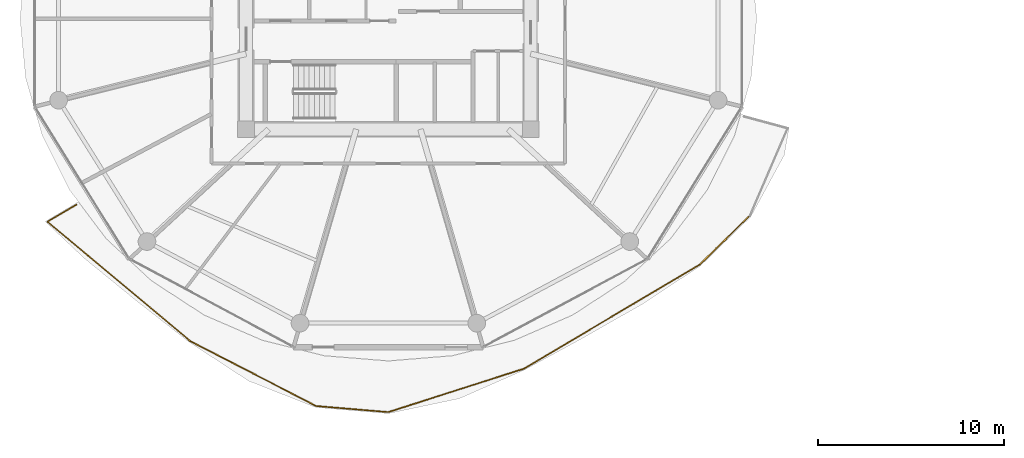
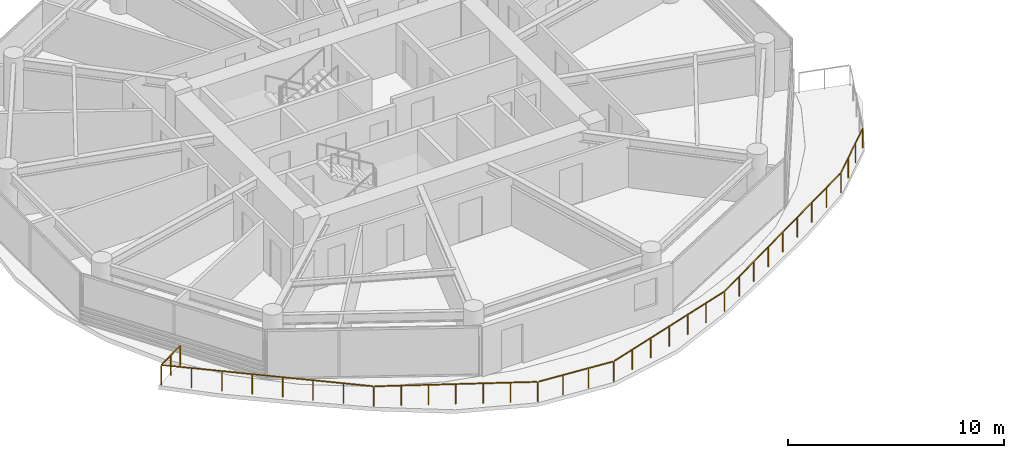
# One storey, part 22 of 26: 1 railing.
"""IFC4 building model written with IfcOpenShell, lengths in metres."""

from ifc_helpers import new_model, si_unit, direction, frame, origin, origin_2d, place, context, subcontext, project, spatial, rectangle, extrude, material, type_object, element, save


model = new_model("IFC4")

# Units and contexts
model_context = context("Model", 3, precision=1e-05, world=origin(), true_north=direction((0.0, 1.0)))
body_context = subcontext(model_context, "Body", "Model", "MODEL_VIEW")
ifc_project = project(units=[si_unit("LENGTHUNIT", "METRE"), si_unit("AREAUNIT", "SQUARE_METRE"), si_unit("VOLUMEUNIT", "CUBIC_METRE"), si_unit("PLANEANGLEUNIT", "RADIAN"), si_unit("MASSUNIT", "GRAM", prefix="KILO")], contexts=[model_context])

# Site, building, storey
site_placement = place(None, origin())
site = spatial("IfcSite", under=ifc_project, at=site_placement, CompositionType="ELEMENT")
building_placement = place(site_placement, origin())
building = spatial("IfcBuilding", under=site, at=building_placement, Name="Norrkilde Senior Care Towers", CompositionType="ELEMENT")
storey_placement = place(building_placement, frame((0.0, 0.0, 49.050048828125)))
storey = spatial("IfcBuildingStorey", under=building, at=storey_placement, Name="L14", CompositionType="ELEMENT", Elevation=49.050048828125)

# Railing
ifc_material = material(Name="Anodised Aluminium", Category="aluminium")
railing_type = type_object("IfcRailingType", Name="Balcony Swirl Ribbon Guardrail 1150", PredefinedType="GUARDRAIL", material=ifc_material)
railing_placement = place(storey_placement, frame((-8.57958984375, -10.603515625, 0.0)))
element("IfcRailing", 1, at=railing_placement, inside=storey, type_object=railing_type, Name="L14 Perimeter Safety Guard 03", PredefinedType="GUARDRAIL", context=body_context, shape_type="SweptSolid", body=[
    extrude(rectangle(XDim=0.048095703125, YDim=0.048095703125, at=origin_2d()), frame((0.0, 0.0, 1.1259765625), z_axis=(-0.715609042797, -0.698501036411, 0.0), x_axis=(0.698501036411, -0.715609042797, 0.0)), (0.0, 0.0, 1.0), 3.712158203125),
    extrude(rectangle(XDim=0.048095703125, YDim=0.048095703125, at=origin_2d()), frame((-2.720947265625, -2.642333984375, 1.1259765625), z_axis=(-0.860596358768, -0.50928764689, 0.0), x_axis=(0.50928764689, -0.860596358768, 0.0)), (0.0, 0.0, 1.0), 10.906005859375),
    extrude(rectangle(XDim=0.048095703125, YDim=0.048095703125, at=origin_2d()), frame((-12.1806640625, -8.22998046875, 1.1259765625), z_axis=(-0.952401533371, -0.304846386289, 0.0), x_axis=(0.304846386289, -0.952401533371, 0.0)), (0.0, 0.0, 1.0), 7.565673828125),
    extrude(rectangle(XDim=0.048095703125, YDim=0.048095703125, at=origin_2d()), frame((-19.466064453125, -10.54541015625, 1.1259765625), z_axis=(-0.996469057112, 0.083960813591, 0.0), x_axis=(-0.083960813591, -0.996469057112, 0.0)), (0.0, 0.0, 1.0), 3.802978515625),
    extrude(rectangle(XDim=0.048095703125, YDim=0.048095703125, at=origin_2d()), frame((-23.332763671875, -10.203857421875, 1.1259765625), z_axis=(-0.888999880147, 0.457907428524, 0.0), x_axis=(-0.457907428524, -0.888999880147, 0.0)), (0.0, 0.0, 1.0), 7.52978515625),
    extrude(rectangle(XDim=0.048095703125, YDim=0.048095703125, at=origin_2d()), frame((-30.09423828125, -6.711181640625, 1.1259765625), z_axis=(-0.766915977693, 0.641747522908, 0.0), x_axis=(-0.641747522908, -0.766915977693, 0.0)), (0.0, 0.0, 1.0), 9.92626953125),
    extrude(rectangle(XDim=0.048095703125, YDim=0.048095703125, at=origin_2d()), frame((-37.703125, -0.2939453125, 1.1259765625), z_axis=(0.860872527302, 0.508820687214, 0.0), x_axis=(-0.508820687214, 0.860872527302, 0.0)), (0.0, 0.0, 1.0), 1.75927734375),
    extrude(rectangle(XDim=0.0419921875, YDim=0.0419921875, at=origin_2d()), origin(), (0.0, 0.0, 1.0), 1.099853515625),
    extrude(rectangle(XDim=0.0419921875, YDim=0.0419921875, at=origin_2d()), frame((-0.895263671875, -0.873779296875, 0.0)), (0.0, 0.0, 1.0), 1.099853515625),
    extrude(rectangle(XDim=0.0419921875, YDim=0.0419921875, at=origin_2d()), frame((-1.79052734375, -1.747802734375, 0.0)), (0.0, 0.0, 1.0), 1.099853515625),
    extrude(rectangle(XDim=0.0419921875, YDim=0.0419921875, at=origin_2d()), frame((-2.685791015625, -2.62158203125, 0.0)), (0.0, 0.0, 1.0), 1.099853515625),
    extrude(rectangle(XDim=0.0419921875, YDim=0.0419921875, at=origin_2d()), frame((-3.86767578125, -3.321044921875, 0.0)), (0.0, 0.0, 1.0), 1.099853515625),
    extrude(rectangle(XDim=0.0419921875, YDim=0.0419921875, at=origin_2d()), frame((-5.0498046875, -4.0205078125, 0.0)), (0.0, 0.0, 1.0), 1.099853515625),
    extrude(rectangle(XDim=0.0419921875, YDim=0.0419921875, at=origin_2d()), frame((-6.23193359375, -4.719970703125, 0.0)), (0.0, 0.0, 1.0), 1.099853515625),
    extrude(rectangle(XDim=0.0419921875, YDim=0.0419921875, at=origin_2d()), frame((-7.413818359375, -5.41943359375, 0.0)), (0.0, 0.0, 1.0), 1.099853515625),
    extrude(rectangle(XDim=0.0419921875, YDim=0.0419921875, at=origin_2d()), frame((-8.595703125, -6.119140625, 0.0)), (0.0, 0.0, 1.0), 1.099853515625),
    extrude(rectangle(XDim=0.0419921875, YDim=0.0419921875, at=origin_2d()), frame((-9.77783203125, -6.818603515625, 0.0)), (0.0, 0.0, 1.0), 1.099853515625),
    extrude(rectangle(XDim=0.0419921875, YDim=0.0419921875, at=origin_2d()), frame((-10.9599609375, -7.51806640625, 0.0)), (0.0, 0.0, 1.0), 1.099853515625),
    extrude(rectangle(XDim=0.0419921875, YDim=0.0419921875, at=origin_2d()), frame((-12.141845703125, -8.217529296875, 0.0)), (0.0, 0.0, 1.0), 1.099853515625),
    extrude(rectangle(XDim=0.0419921875, YDim=0.0419921875, at=origin_2d()), frame((-13.355712890625, -8.60595703125, 0.0)), (0.0, 0.0, 1.0), 1.099853515625),
    extrude(rectangle(XDim=0.0419921875, YDim=0.0419921875, at=origin_2d()), frame((-14.569580078125, -8.99462890625, 0.0)), (0.0, 0.0, 1.0), 1.099853515625),
    extrude(rectangle(XDim=0.0419921875, YDim=0.0419921875, at=origin_2d()), frame((-15.78369140625, -9.38330078125, 0.0)), (0.0, 0.0, 1.0), 1.099853515625),
    extrude(rectangle(XDim=0.0419921875, YDim=0.0419921875, at=origin_2d()), frame((-16.99755859375, -9.771728515625, 0.0)), (0.0, 0.0, 1.0), 1.099853515625),
    extrude(rectangle(XDim=0.0419921875, YDim=0.0419921875, at=origin_2d()), frame((-18.21142578125, -10.16015625, 0.0)), (0.0, 0.0, 1.0), 1.099853515625),
    extrude(rectangle(XDim=0.0419921875, YDim=0.0419921875, at=origin_2d()), frame((-19.42529296875, -10.548828125, 0.0)), (0.0, 0.0, 1.0), 1.099853515625),
    extrude(rectangle(XDim=0.0419921875, YDim=0.0419921875, at=origin_2d()), frame((-20.715576171875, -10.440185546875, 0.0)), (0.0, 0.0, 1.0), 1.099853515625),
    extrude(rectangle(XDim=0.0419921875, YDim=0.0419921875, at=origin_2d()), frame((-22.006103515625, -10.331298828125, 0.0)), (0.0, 0.0, 1.0), 1.099853515625),
    extrude(rectangle(XDim=0.0419921875, YDim=0.0419921875, at=origin_2d()), frame((-23.29638671875, -10.22265625, 0.0)), (0.0, 0.0, 1.0), 1.099853515625),
    extrude(rectangle(XDim=0.0419921875, YDim=0.0419921875, at=origin_2d()), frame((-24.424072265625, -9.641845703125, 0.0)), (0.0, 0.0, 1.0), 1.099853515625),
    extrude(rectangle(XDim=0.0419921875, YDim=0.0419921875, at=origin_2d()), frame((-25.552001953125, -9.060791015625, 0.0)), (0.0, 0.0, 1.0), 1.099853515625),
    extrude(rectangle(XDim=0.0419921875, YDim=0.0419921875, at=origin_2d()), frame((-26.6796875, -8.47998046875, 0.0)), (0.0, 0.0, 1.0), 1.099853515625),
    extrude(rectangle(XDim=0.0419921875, YDim=0.0419921875, at=origin_2d()), frame((-27.807373046875, -7.899169921875, 0.0)), (0.0, 0.0, 1.0), 1.099853515625),
    extrude(rectangle(XDim=0.0419921875, YDim=0.0419921875, at=origin_2d()), frame((-28.935302734375, -7.318115234375, 0.0)), (0.0, 0.0, 1.0), 1.099853515625),
    extrude(rectangle(XDim=0.0419921875, YDim=0.0419921875, at=origin_2d()), frame((-30.06298828125, -6.7373046875, 0.0)), (0.0, 0.0, 1.0), 1.099853515625),
    extrude(rectangle(XDim=0.0419921875, YDim=0.0419921875, at=origin_2d()), frame((-31.159423828125, -5.81982421875, 0.0)), (0.0, 0.0, 1.0), 1.099853515625),
    extrude(rectangle(XDim=0.0419921875, YDim=0.0419921875, at=origin_2d()), frame((-32.255859375, -4.90234375, 0.0)), (0.0, 0.0, 1.0), 1.099853515625),
    extrude(rectangle(XDim=0.0419921875, YDim=0.0419921875, at=origin_2d()), frame((-33.352294921875, -3.98486328125, 0.0)), (0.0, 0.0, 1.0), 1.099853515625),
    extrude(rectangle(XDim=0.0419921875, YDim=0.0419921875, at=origin_2d()), frame((-34.448974609375, -3.067138671875, 0.0)), (0.0, 0.0, 1.0), 1.099853515625),
    extrude(rectangle(XDim=0.0419921875, YDim=0.0419921875, at=origin_2d()), frame((-35.54541015625, -2.149658203125, 0.0)), (0.0, 0.0, 1.0), 1.099853515625),
    extrude(rectangle(XDim=0.0419921875, YDim=0.0419921875, at=origin_2d()), frame((-36.641845703125, -1.232177734375, 0.0)), (0.0, 0.0, 1.0), 1.099853515625),
    extrude(rectangle(XDim=0.0419921875, YDim=0.0419921875, at=origin_2d()), frame((-37.73828125, -0.314697265625, 0.0)), (0.0, 0.0, 1.0), 1.099853515625),
    extrude(rectangle(XDim=0.0419921875, YDim=0.0419921875, at=origin_2d()), frame((-36.96337890625, 0.143310546875, 0.0)), (0.0, 0.0, 1.0), 1.099853515625),
    extrude(rectangle(XDim=0.0419921875, YDim=0.0419921875, at=origin_2d()), frame((-36.1884765625, 0.601318359375, 0.0)), (0.0, 0.0, 1.0), 1.099853515625),
])

save(model, "model.ifc")
